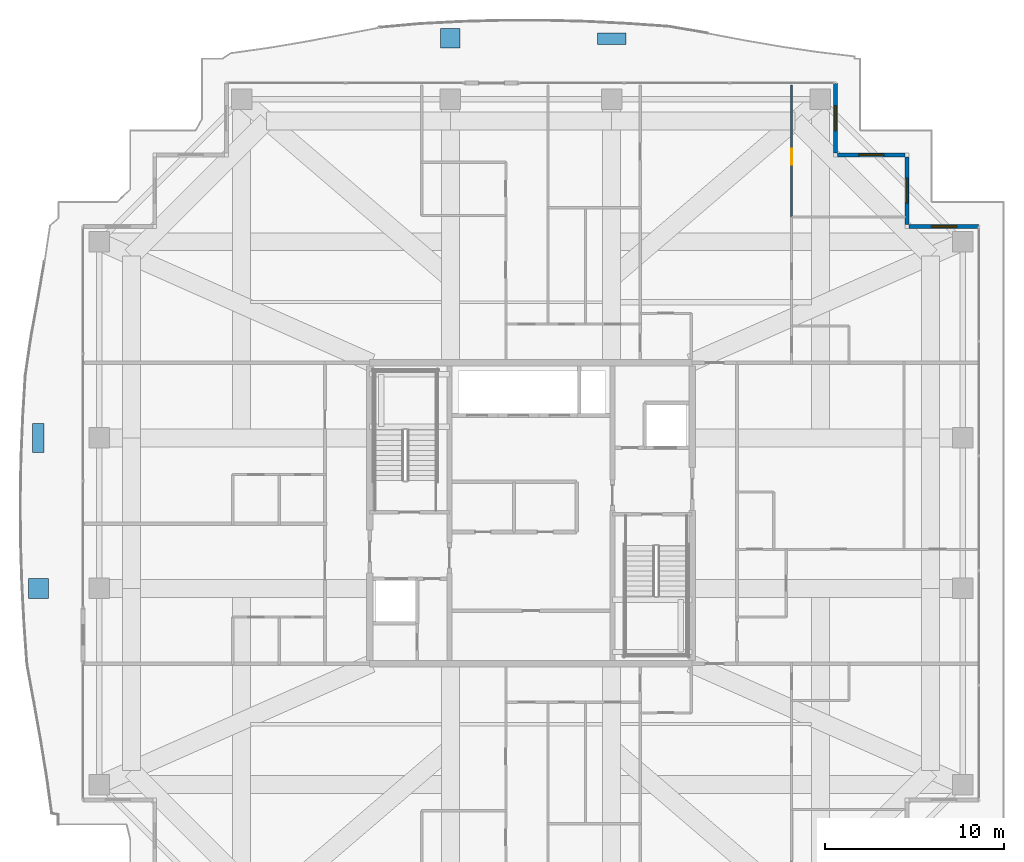
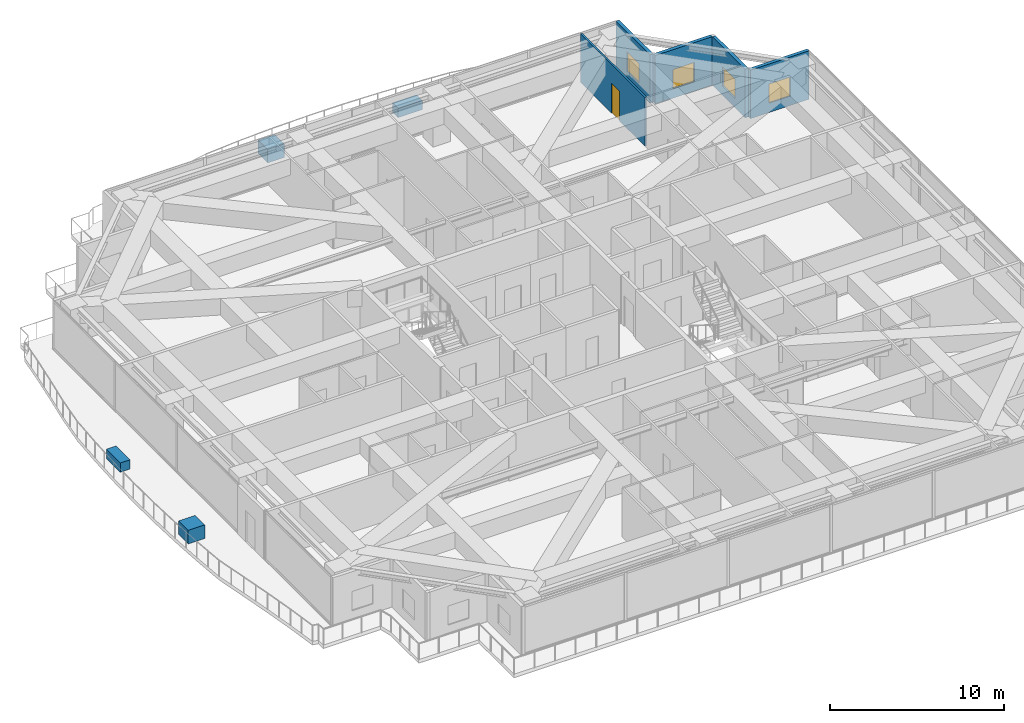
# One storey, part 32 of 39: 5 walls, 4 discrete accessories, 4 windows, 1 door, 5 openings.
"""IFC4 building model written with IfcOpenShell, lengths in metres."""

from ifc_helpers import new_model, si_unit, direction, frame, frame_2d, origin, origin_2d, place, context, subcontext, project, spatial, rectangle, extrude, source, transform, mapped, material, layer, layer_set, type_object, element, fill, save


model = new_model("IFC4")

# Units and contexts
model_context = context("Model", 3, precision=1e-05, world=origin(), true_north=direction((0.0, 1.0)))
body_context = subcontext(model_context, "Body", "Model", "MODEL_VIEW")
ifc_project = project(units=[si_unit("LENGTHUNIT", "METRE"), si_unit("AREAUNIT", "SQUARE_METRE"), si_unit("VOLUMEUNIT", "CUBIC_METRE"), si_unit("PLANEANGLEUNIT", "RADIAN"), si_unit("MASSUNIT", "GRAM", prefix="KILO")], contexts=[model_context])

# Site, building, storey
site_placement = place(None, origin())
site = spatial("IfcSite", under=ifc_project, at=site_placement, CompositionType="ELEMENT")
building_placement = place(site_placement, origin())
building = spatial("IfcBuilding", under=site, at=building_placement, Name="Serunith Strait Residences", CompositionType="ELEMENT")
storey_placement = place(building_placement, frame((0.0, 0.0, 283.60009765625)))
storey = spatial("IfcBuildingStorey", under=building, at=storey_placement, Name="L71", CompositionType="ELEMENT", Elevation=283.60009765625)

# Wall, opening, window
ifc_material_1 = material(Name="Pale-Champagne Aluminium Insulated Panel", Category="aluminium")
ifc_layer_1 = layer(ifc_material_1, 0.219970703125, Name="Pale-Champagne Aluminium Insulated Panel")
ifc_layer_set_1 = layer_set([ifc_layer_1], Name="Pale-Champagne Aluminium Insulated Panel")
wall_type_1 = type_object("IfcWallType", Name="EW-ALUM-220", PredefinedType="ELEMENTEDWALL", material=ifc_layer_set_1)
wall_1_placement = place(storey_placement, frame((57.39990234375, 41.199951171875, 0.0), z_axis=(0.0, 0.0, 1.0), x_axis=(-1.0, 0.0, 0.0)))
wall_1 = element("IfcWall", 1, at=wall_1_placement, inside=storey, type_object=wall_type_1, Name="L71 Girih Serrated Corner Wall 07", PredefinedType="ELEMENTEDWALL", context=body_context, shape_type="SweptSolid", body=[
    extrude(rectangle(XDim=3.889892578125, YDim=0.219970703125, at=frame_2d((1.94482421875, 0.0))), origin(), (0.0, 0.0, 1.0), 3.39501953125),
])
opening_1_placement = place(wall_1_placement, frame((1.2451171875, 0.0, 0.64990234375)))
opening_1 = element("IfcOpeningElement", 2, at=opening_1_placement, cuts=wall_1, Name="Opening W-09", PredefinedType="OPENING", context=body_context, shape_type="SweptSolid", body=[
    extrude(rectangle(XDim=1.39990234375, YDim=1.35009765625, at=frame_2d((0.699951171875, 0.675048828125))), frame((0.0, 0.1201171875, 0.0), z_axis=(0.0, -1.0, 0.0), x_axis=(1.0, 0.0, 0.0)), (0.0, 0.0, 1.0), 0.239990234375),
])
ifc_material_2 = material(Name="Setback Spandrel Ceramic-Fritted Operable Window Glass", Category="glass")
window_type = type_object("IfcWindowType", Name="WIN-C7", PartitioningType="DOUBLE_PANEL_VERTICAL", PredefinedType="WINDOW", material=ifc_material_2)
shared_shape_1 = source(origin(), body_context, "Body", "SweptSolid", [
    extrude(rectangle(XDim=1.39990234375, YDim=1.35009765625, at=frame_2d((0.699951171875, 0.675048828125))), frame((0.0, 0.030029296875, 0.0), z_axis=(0.0, -1.0, 0.0), x_axis=(1.0, 0.0, 0.0)), (0.0, 0.0, 1.0), 0.06005859375),
])
window_1_placement = place(opening_1_placement, origin())
window_1 = element("IfcWindow", 3, at=window_1_placement, inside=storey, type_object=window_type, Name="L71 Corner Operable Fritted Window 07", OverallHeight=1.35009765625, OverallWidth=1.39990234375, PartitioningType="SINGLE_PANEL", PredefinedType="WINDOW", context=body_context, shape_type="MappedRepresentation", body=[
    mapped(shared_shape_1, transform((0.0, 0.0, 0.0), scale=1.0)),
])
fill(opening_1, window_1)

wall_2_placement = place(storey_placement, frame((53.39990234375, 41.31005859375, 0.0), z_axis=(0.0, 0.0, 1.0), x_axis=(0.0, 1.0, 0.0)))
wall_2 = element("IfcWall", 4, at=wall_2_placement, inside=storey, type_object=wall_type_1, Name="L71 Girih Serrated Corner Wall 08", PredefinedType="ELEMENTEDWALL", context=body_context, shape_type="SweptSolid", body=[
    extrude(rectangle(XDim=3.780029296875, YDim=0.219970703125, at=frame_2d((1.89013671875, 0.0))), origin(), (0.0, 0.0, 1.0), 3.39501953125),
])
opening_2_placement = place(wall_2_placement, frame((1.18994140625, 0.0, 0.64990234375)))
opening_2 = element("IfcOpeningElement", 5, at=opening_2_placement, cuts=wall_2, Name="Opening W-09", PredefinedType="OPENING", context=body_context, shape_type="SweptSolid", body=[
    extrude(rectangle(XDim=1.39990234375, YDim=1.35009765625, at=frame_2d((0.699951171875, 0.675048828125))), frame((0.0, 0.1201171875, 0.0), z_axis=(0.0, -1.0, 0.0), x_axis=(1.0, 0.0, 0.0)), (0.0, 0.0, 1.0), 0.239990234375),
])
window_2_placement = place(opening_2_placement, origin())
window_2 = element("IfcWindow", 6, at=window_2_placement, inside=storey, type_object=window_type, Name="L71 Corner Operable Fritted Window 08", OverallHeight=1.35009765625, OverallWidth=1.39990234375, PartitioningType="SINGLE_PANEL", PredefinedType="WINDOW", context=body_context, shape_type="MappedRepresentation", body=[
    mapped(shared_shape_1, transform((0.0, 0.0, 0.0), scale=1.0)),
])
fill(opening_2, window_2)

wall_3_placement = place(storey_placement, frame((53.2900390625, 45.199951171875, 0.0), z_axis=(0.0, 0.0, 1.0), x_axis=(-1.0, 0.0, 0.0)))
wall_3 = element("IfcWall", 7, at=wall_3_placement, inside=storey, type_object=wall_type_1, Name="L71 Girih Serrated Corner Wall 09", PredefinedType="ELEMENTEDWALL", context=body_context, shape_type="SweptSolid", body=[
    extrude(rectangle(XDim=3.780029296875, YDim=0.219970703125, at=frame_2d((1.89013671875, 0.0))), origin(), (0.0, 0.0, 1.0), 3.39501953125),
])
opening_3_placement = place(wall_3_placement, frame((1.18994140625, 0.0, 0.64990234375)))
opening_3 = element("IfcOpeningElement", 8, at=opening_3_placement, cuts=wall_3, Name="Opening W-09", PredefinedType="OPENING", context=body_context, shape_type="SweptSolid", body=[
    extrude(rectangle(XDim=1.39990234375, YDim=1.35009765625, at=frame_2d((0.699951171875, 0.675048828125))), frame((0.0, 0.1201171875, 0.0), z_axis=(0.0, -1.0, 0.0), x_axis=(1.0, 0.0, 0.0)), (0.0, 0.0, 1.0), 0.239990234375),
])
window_3_placement = place(opening_3_placement, origin())
window_3 = element("IfcWindow", 9, at=window_3_placement, inside=storey, type_object=window_type, Name="L71 Corner Operable Fritted Window 09", OverallHeight=1.35009765625, OverallWidth=1.39990234375, PartitioningType="SINGLE_PANEL", PredefinedType="WINDOW", context=body_context, shape_type="MappedRepresentation", body=[
    mapped(shared_shape_1, transform((0.0, 0.0, 0.0), scale=1.0)),
])
fill(opening_3, window_3)

wall_4_placement = place(storey_placement, frame((49.39990234375, 45.31005859375, 0.0), z_axis=(0.0, 0.0, 1.0), x_axis=(0.0, 1.0, 0.0)))
wall_4 = element("IfcWall", 10, at=wall_4_placement, inside=storey, type_object=wall_type_1, Name="L71 Girih Serrated Corner Wall 10", PredefinedType="ELEMENTEDWALL", context=body_context, shape_type="SweptSolid", body=[
    extrude(rectangle(XDim=3.889892578125, YDim=0.219970703125, at=frame_2d((1.94482421875, 0.0))), origin(), (0.0, 0.0, 1.0), 3.39501953125),
])
opening_4_placement = place(wall_4_placement, frame((1.2451171875, 0.0, 0.64990234375)))
opening_4 = element("IfcOpeningElement", 11, at=opening_4_placement, cuts=wall_4, Name="Opening W-09", PredefinedType="OPENING", context=body_context, shape_type="SweptSolid", body=[
    extrude(rectangle(XDim=1.39990234375, YDim=1.35009765625, at=frame_2d((0.699951171875, 0.675048828125))), frame((0.0, 0.1201171875, 0.0), z_axis=(0.0, -1.0, 0.0), x_axis=(1.0, 0.0, 0.0)), (0.0, 0.0, 1.0), 0.239990234375),
])
window_4_placement = place(opening_4_placement, origin())
window_4 = element("IfcWindow", 12, at=window_4_placement, inside=storey, type_object=window_type, Name="L71 Corner Operable Fritted Window 10", OverallHeight=1.35009765625, OverallWidth=1.39990234375, PartitioningType="SINGLE_PANEL", PredefinedType="WINDOW", context=body_context, shape_type="MappedRepresentation", body=[
    mapped(shared_shape_1, transform((0.0, 0.0, 0.0), scale=1.0)),
])
fill(opening_4, window_4)

# Wall, opening, door
ifc_material_3 = material(Name="Lightweight steel-stud gypsum partition", Category="steel")
ifc_layer_2 = layer(ifc_material_3, 0.1201171875, Name="Lightweight steel-stud gypsum partition")
ifc_layer_set_2 = layer_set([ifc_layer_2], Name="Lightweight steel-stud gypsum partition")
wall_type_2 = type_object("IfcWallType", Name="IW-PART-120", PredefinedType="PARTITIONING", material=ifc_layer_set_2)
wall_5_placement = place(storey_placement, frame((46.949951171875, 49.10498046875, 0.0), z_axis=(0.0, 0.0, 1.0), x_axis=(0.0, -1.0, 0.0)))
wall_5 = element("IfcWall", 13, at=wall_5_placement, inside=storey, type_object=wall_type_2, Name="L71 Partition Wall 069", PredefinedType="PARTITIONING", context=body_context, shape_type="SweptSolid", body=[
    extrude(rectangle(XDim=7.373046875, YDim=0.1201171875, at=frame_2d((3.6865234375, 0.0))), origin(), (0.0, 0.0, 1.0), 3.409912109375),
])
opening_5_placement = place(wall_5_placement, frame((3.56005859375, 0.0, 0.0)))
opening_5 = element("IfcOpeningElement", 14, at=opening_5_placement, cuts=wall_5, Name="Opening D-RM900", PredefinedType="OPENING", context=body_context, shape_type="SweptSolid", body=[
    extrude(rectangle(XDim=0.89990234375, YDim=2.10009765625, at=frame_2d((0.449951171875, 1.050048828125))), frame((0.0, 0.070068359375, 0.0), z_axis=(0.0, -1.0, 0.0), x_axis=(1.0, 0.0, 0.0)), (0.0, 0.0, 1.0), 0.14013671875),
])
ifc_material_4 = material(Name="Engineered timber flush bedroom door", Category="wood")
door_type = type_object("IfcDoorType", Name="ID-ROOM-900", OperationType="NOTDEFINED", PredefinedType="DOOR", material=ifc_material_4)
shared_shape_2 = source(origin(), body_context, "Body", "SweptSolid", [
    extrude(rectangle(XDim=0.89990234375, YDim=2.10009765625, at=frame_2d((0.449951171875, 1.050048828125))), frame((0.0, 0.02490234375, 0.0), z_axis=(0.0, -1.0, 0.0), x_axis=(1.0, 0.0, 0.0)), (0.0, 0.0, 1.0), 0.050048828125),
])
door_placement = place(opening_5_placement, origin())
door = element("IfcDoor", 15, at=door_placement, inside=storey, type_object=door_type, Name="L71 Bedroom 3 7102 Door", OperationType="SINGLE_SWING_LEFT", OverallHeight=2.10009765625, OverallWidth=0.89990234375, PredefinedType="DOOR", context=body_context, shape_type="MappedRepresentation", body=[
    mapped(shared_shape_2, transform((0.0, 0.0, 0.0), scale=1.0)),
])
fill(opening_5, door)

# Discrete accessories
ifc_material_5 = material(Name="GFRC Root-Anchored Structural Planter")
discrete_accessory_type_1 = type_object("IfcDiscreteAccessoryType", Name="ACC-PLANTER-TREE", PredefinedType="USERDEFINED", material=ifc_material_5)
shared_shape_3 = source(origin(), body_context, "Body", "SweptSolid", [
    extrude(rectangle(XDim=1.10009765625, YDim=1.10009765625, at=origin_2d()), origin(), (0.0, 0.0, 1.0), 0.949951171875),
])
for number, where, z_axis, x_axis, name in (
    (16, (27.89990234375, 51.707763671875, -0.05029296875), (0.0, 0.0, 1.0), (-1.0, 0.0, 0.0), "L71 Vertical-Forest Tree Planter 06"),
    (17, (4.905517578125, 21.0, -0.05029296875), (0.0, 0.0, 1.0), (0.0, -1.0, 0.0), "L71 Vertical-Forest Tree Planter 14"),
):
    element("IfcDiscreteAccessory", number, at=place(storey_placement, frame(where, z_axis=z_axis, x_axis=x_axis)), inside=storey, type_object=discrete_accessory_type_1, Name=name, ObjectType="PLANTER", PredefinedType="USERDEFINED", context=body_context, shape_type="MappedRepresentation", body=[
        mapped(shared_shape_3, transform((0.0, 0.0, 0.0), scale=1.0)),
    ])
ifc_material_6 = material(Name="GFRC Irrigated Shrub Trough Planter")
discrete_accessory_type_2 = type_object("IfcDiscreteAccessoryType", Name="ACC-PLANTER-SHRUB", PredefinedType="USERDEFINED", material=ifc_material_6)
shared_shape_4 = source(origin(), body_context, "Body", "SweptSolid", [
    extrude(rectangle(XDim=1.60009765625, YDim=0.64990234375, at=origin_2d()), origin(), (0.0, 0.0, 1.0), 0.64990234375),
])
for number, where, z_axis, x_axis, name in (
    (18, (36.89990234375, 51.673828125, -0.050048828125), (0.0, 0.0, 1.0), (-1.0, 0.0, 0.0), "L71 Vertical-Forest Shrub Planter 07"),
    (19, (4.888671875, 29.39990234375, -0.050048828125), (0.0, 0.0, 1.0), (0.0, -1.0, 0.0), "L71 Vertical-Forest Shrub Planter 15"),
):
    element("IfcDiscreteAccessory", number, at=place(storey_placement, frame(where, z_axis=z_axis, x_axis=x_axis)), inside=storey, type_object=discrete_accessory_type_2, Name=name, ObjectType="PLANTER", PredefinedType="USERDEFINED", context=body_context, shape_type="MappedRepresentation", body=[
        mapped(shared_shape_4, transform((0.0, 0.0, 0.0), scale=1.0)),
    ])

save(model, "model.ifc")
